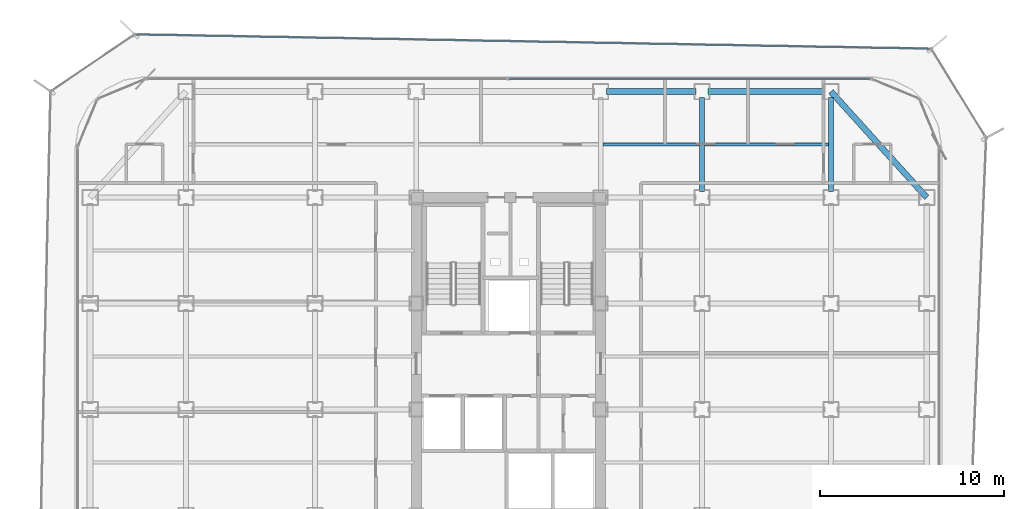
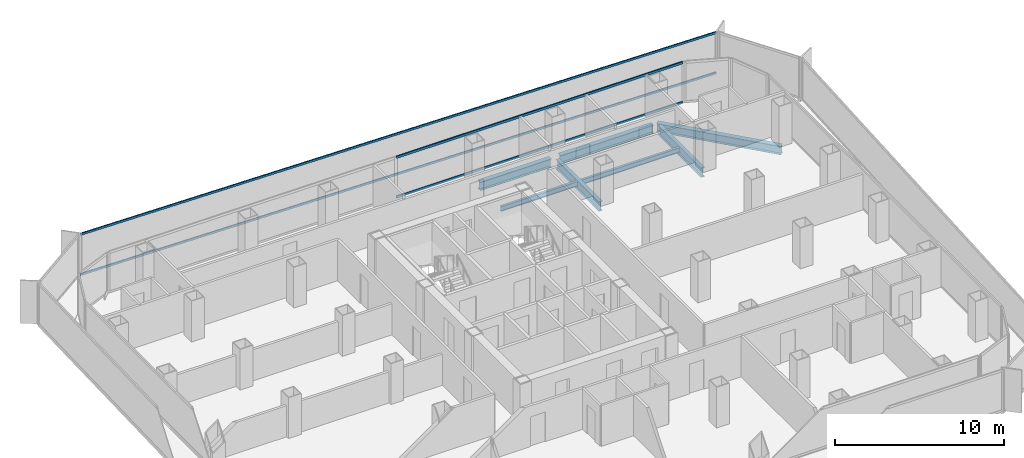
# One storey, part 13 of 21: 7 beams, 4 members, 2 elements without a shape of their own.
"""IFC4 building model written with IfcOpenShell, lengths in metres."""

from ifc_helpers import new_model, si_unit, direction, frame, origin, origin_2d, place, context, subcontext, project, spatial, hollow_rectangle, i_section, extrude, source, transform, mapped, material, layer, layer_set, material_profile, profile_set, type_object, element, aggregate, save


model = new_model("IFC4")

# Units and contexts
model_context = context("Model", 3, precision=1e-05, world=origin(), true_north=direction((0.0, 1.0)))
body_context = subcontext(model_context, "Body", "Model", "MODEL_VIEW")
ifc_project = project(units=[si_unit("LENGTHUNIT", "METRE"), si_unit("AREAUNIT", "SQUARE_METRE"), si_unit("VOLUMEUNIT", "CUBIC_METRE"), si_unit("PLANEANGLEUNIT", "RADIAN"), si_unit("MASSUNIT", "GRAM", prefix="KILO")], contexts=[model_context])

# Site, building, storey
site_placement = place(None, origin())
site = spatial("IfcSite", under=ifc_project, at=site_placement, CompositionType="ELEMENT")
building_placement = place(site_placement, origin())
building = spatial("IfcBuilding", under=site, at=building_placement, Name="Kolveth Station Tower", CompositionType="ELEMENT")
storey_placement = place(building_placement, frame((0.0, 0.0, 105.5)))
storey = spatial("IfcBuildingStorey", under=building, at=storey_placement, Name="L28", CompositionType="ELEMENT", Elevation=105.5)

# Beams
ifc_material_1 = material(Name="Steel S355", Category="steel")
ifc_material_profile_1 = material_profile(ifc_material_1, i_section(OverallWidth=0.323974609375, OverallDepth=0.611083984375, WebThickness=0.0126953125, FlangeThickness=0.01904296875, at=origin_2d()), Name="W610x155")
ifc_profile_set_1 = profile_set([ifc_material_profile_1], Name="Steel S355")
beam_type_1 = type_object("IfcBeamType", Name="Beam_SP2", PredefinedType="SPANDREL", material=ifc_profile_set_1)
shared_shape_1 = source(origin(), body_context, "Body", "SweptSolid", [
    extrude(i_section(OverallWidth=0.323974609375, OverallDepth=0.611083984375, WebThickness=0.0126953125, FlangeThickness=0.01904296875, at=origin_2d()), origin(), (0.0, 0.0, 1.0), 6.35986328125),
])
beam_1_placement = place(storey_placement, frame((34.320068359375, 34.5, -0.555419921875), z_axis=(1.0, 0.0, 0.0), x_axis=(0.0, 1.0, 0.0)))
element("IfcBeam", 1, at=beam_1_placement, inside=storey, type_object=beam_type_1, Name="L28 Perimeter Spandrel BM-L28-PN-5", PredefinedType="SPANDREL", context=body_context, shape_type="MappedRepresentation", body=[
    mapped(shared_shape_1, transform((0.0, 0.0, 0.0), x_axis=(1.0, 0.0, 0.0), y_axis=(0.0, 1.0, 0.0), z_axis=(0.0, 0.0, 1.0), scale=1.0)),
])
shared_shape_2 = source(origin(), body_context, "Body", "SweptSolid", [
    extrude(i_section(OverallWidth=0.323974609375, OverallDepth=0.611083984375, WebThickness=0.0126953125, FlangeThickness=0.01904296875, at=origin_2d()), origin(), (0.0, 0.0, 1.0), 4.85986328125),
])
beam_2_placement = place(storey_placement, frame((28.820068359375, 34.5, -0.555419921875), z_axis=(1.0, 0.0, 0.0), x_axis=(0.0, 1.0, 0.0)))
element("IfcBeam", 2, at=beam_2_placement, inside=storey, type_object=beam_type_1, Name="L28 Perimeter Spandrel BM-L28-PN-4", PredefinedType="SPANDREL", context=body_context, shape_type="MappedRepresentation", body=[
    mapped(shared_shape_2, transform((0.0, 0.0, 0.0), x_axis=(1.0, 0.0, 0.0), y_axis=(0.0, 1.0, 0.0), z_axis=(0.0, 0.0, 1.0), scale=1.0)),
])
shared_shape_3 = source(origin(), body_context, "Body", "SweptSolid", [
    extrude(i_section(OverallWidth=0.323974609375, OverallDepth=0.611083984375, WebThickness=0.0126953125, FlangeThickness=0.01904296875, at=origin_2d()), origin(), (0.0, 0.0, 1.0), 7.75244140625),
])
beam_3_placement = place(storey_placement, frame((46.199951171875, 28.75, -0.555419921875), z_axis=(-0.670740965555, 0.74169168603, 0.0), x_axis=(-0.74169168603, -0.670740965555, 0.0)))
element("IfcBeam", 3, at=beam_3_placement, inside=storey, type_object=beam_type_1, Name="L28 Corner Edge Girder BM-L28-CNR-NE", PredefinedType="SPANDREL", context=body_context, shape_type="MappedRepresentation", body=[
    mapped(shared_shape_3, transform((0.0, 0.0, 0.0), x_axis=(1.0, 0.0, 0.0), y_axis=(0.0, 1.0, 0.0), z_axis=(0.0, 0.0, 1.0), scale=1.0)),
])
ifc_material_profile_2 = material_profile(ifc_material_1, i_section(OverallWidth=0.25390625, OverallDepth=0.68798828125, WebThickness=0.01318359375, FlangeThickness=0.02099609375, at=origin_2d()), Name="W690x152")
ifc_profile_set_2 = profile_set([ifc_material_profile_2], Name="Steel S355")
beam_type_2 = type_object("IfcBeamType", Name="Beam_B4", PredefinedType="BEAM", material=ifc_profile_set_2)
shared_shape_4 = source(origin(), body_context, "Body", "SweptSolid", [
    extrude(i_section(OverallWidth=0.25390625, OverallDepth=0.68798828125, WebThickness=0.01318359375, FlangeThickness=0.02099609375, at=origin_2d()), origin(), (0.0, 0.0, 1.0), 5.10986328125),
])
for number, where, z_axis, x_axis, name in (
    (4, (34.0, 29.070068359375, -0.593994140625), (0.0, 1.0, 0.0), (-1.0, 0.0, 0.0), "L28 Primary Girder BM-L28-GX340-6"),
    (5, (41.0, 29.070068359375, -0.593994140625), (0.0, 1.0, 0.0), (-1.0, 0.0, 0.0), "L28 Primary Girder BM-L28-GX410-6"),
):
    element("IfcBeam", number, at=place(storey_placement, frame(where, z_axis=z_axis, x_axis=x_axis)), inside=storey, type_object=beam_type_2, Name=name, PredefinedType="BEAM", context=body_context, shape_type="MappedRepresentation", body=[
        mapped(shared_shape_4, transform((0.0, 0.0, 0.0), x_axis=(1.0, 0.0, 0.0), y_axis=(0.0, 1.0, 0.0), z_axis=(0.0, 0.0, 1.0), scale=1.0)),
    ])
ifc_material_profile_3 = material_profile(ifc_material_1, i_section(OverallWidth=0.1708984375, OverallDepth=0.35205078125, WebThickness=0.0068359375, FlangeThickness=0.009765625, at=origin_2d()), Name="W360x44")
ifc_profile_set_3 = profile_set([ifc_material_profile_3], Name="Steel S355")
beam_type_3 = type_object("IfcBeamType", Name="Beam_J2", PredefinedType="JOIST", material=ifc_profile_set_3)
shared_shape_5 = source(origin(), body_context, "Body", "SweptSolid", [
    extrude(i_section(OverallWidth=0.1708984375, OverallDepth=0.35205078125, WebThickness=0.0068359375, FlangeThickness=0.009765625, at=origin_2d()), origin(), (0.0, 0.0, 1.0), 6.75),
])
beam_4_placement = place(storey_placement, frame((34.125, 31.625, -0.426025390625), z_axis=(1.0, 0.0, 0.0), x_axis=(0.0, 1.0, 0.0)))
element("IfcBeam", 6, at=beam_4_placement, inside=storey, type_object=beam_type_3, Name="L28 Secondary Joist JST-L28-6-6", PredefinedType="JOIST", context=body_context, shape_type="MappedRepresentation", body=[
    mapped(shared_shape_5, transform((0.0, 0.0, 0.0), x_axis=(1.0, 0.0, 0.0), y_axis=(0.0, 1.0, 0.0), z_axis=(0.0, 0.0, 1.0), scale=1.0)),
])
shared_shape_6 = source(origin(), body_context, "Body", "SweptSolid", [
    extrude(i_section(OverallWidth=0.1708984375, OverallDepth=0.35205078125, WebThickness=0.0068359375, FlangeThickness=0.009765625, at=origin_2d()), origin(), (0.0, 0.0, 1.0), 5.25),
])
beam_5_placement = place(storey_placement, frame((28.625, 31.625, -0.426025390625), z_axis=(1.0, 0.0, 0.0), x_axis=(0.0, 1.0, 0.0)))
element("IfcBeam", 7, at=beam_5_placement, inside=storey, type_object=beam_type_3, Name="L28 Secondary Joist JST-L28-5-6", PredefinedType="JOIST", context=body_context, shape_type="MappedRepresentation", body=[
    mapped(shared_shape_6, transform((0.0, 0.0, 0.0), x_axis=(1.0, 0.0, 0.0), y_axis=(0.0, 1.0, 0.0), z_axis=(0.0, 0.0, 1.0), scale=1.0)),
])

# Curtain wall, members
ifc_material_2 = material(Name="Aluminium 6063-T6 and low-E dark glass", Category="aluminium")
ifc_layer_1 = layer(ifc_material_2, 0.18994140625)
ifc_layer_set_1 = layer_set([ifc_layer_1], Name="Aluminium 6063-T6 and low-E dark glass")
curtain_wall_type_1 = type_object("IfcCurtainWallType", Name="CurtainWall_CW-Z2", PredefinedType="NOTDEFINED", material=ifc_layer_set_1)
curtain_wall_1_placement = place(storey_placement, origin())
curtain_wall_1 = element("IfcCurtainWall", 8, at=curtain_wall_1_placement, inside=storey, type_object=curtain_wall_type_1, Name="L28 Inner Thermal Curtain Wall 6", PredefinedType="NOTDEFINED")
ifc_material_3 = material(Name="Black anodized aluminium 6063-T6", Category="aluminium")
ifc_material_profile_4 = material_profile(ifc_material_3, hollow_rectangle(XDim=0.080078125, YDim=0.169921875, WallThickness=0.0048828125, at=origin_2d()), Name="ALU-80x170x5")
ifc_profile_set_4 = profile_set([ifc_material_profile_4], Name="Black anodized aluminium 6063-T6")
member_type_1 = type_object("IfcMemberType", Name="Transom_TR2", PredefinedType="USERDEFINED", material=ifc_profile_set_4)
shared_shape_7 = source(origin(), body_context, "Body", "SweptSolid", [
    extrude(hollow_rectangle(XDim=0.080078125, YDim=0.169921875, WallThickness=0.0048828125, at=origin_2d()), origin(), (0.0, 0.0, 1.0), 19.580078125),
])
member_1_placement = place(storey_placement, frame((43.1201171875, 35.179931640625, 0.0400390625), z_axis=(-1.0, 0.0, 0.0), x_axis=(0.0, -1.0, 0.0)))
member_1 = element("IfcMember", 9, at=member_1_placement, type_object=member_type_1, Name="CW-Z2 transom 1.1", ObjectType="TRANSOM", PredefinedType="USERDEFINED", context=body_context, shape_type="MappedRepresentation", body=[
    mapped(shared_shape_7, transform((0.0, 0.0, 0.0), x_axis=(1.0, 0.0, 0.0), y_axis=(0.0, 1.0, 0.0), z_axis=(0.0, 0.0, 1.0), scale=1.0)),
])
member_2_placement = place(storey_placement, frame((43.1201171875, 35.179931640625, 2.909912109375), z_axis=(-1.0, 0.0, 0.0), x_axis=(0.0, -1.0, 0.0)))
member_2 = element("IfcMember", 10, at=member_2_placement, type_object=member_type_1, Name="CW-Z2 transom 1.2", ObjectType="TRANSOM", PredefinedType="USERDEFINED", context=body_context, shape_type="MappedRepresentation", body=[
    mapped(shared_shape_7, transform((0.0, 0.0, 0.0), x_axis=(1.0, 0.0, 0.0), y_axis=(0.0, 1.0, 0.0), z_axis=(0.0, 0.0, 1.0), scale=1.0)),
])
aggregate(curtain_wall_1, [member_1, member_2])

ifc_material_4 = material(Name="Black anodized aluminium 6063-T6 and dark solar glass", Category="aluminium")
ifc_layer_2 = layer(ifc_material_4, 0.159912109375)
ifc_layer_set_2 = layer_set([ifc_layer_2], Name="Black anodized aluminium 6063-T6 and dark solar glass")
curtain_wall_type_2 = type_object("IfcCurtainWallType", Name="OUTER SKIN CW-OS", PredefinedType="NOTDEFINED", material=ifc_layer_set_2)
curtain_wall_2_placement = place(storey_placement, origin())
curtain_wall_2 = element("IfcCurtainWall", 11, at=curtain_wall_2_placement, inside=storey, type_object=curtain_wall_type_2, Name="L28 Outer Ventilated Skin Curtain Wall 4", PredefinedType="NOTDEFINED")
ifc_material_profile_5 = material_profile(ifc_material_3, hollow_rectangle(XDim=0.080078125, YDim=0.14990234375, WallThickness=0.0048828125, at=origin_2d()), Name="ALU-80x150x5")
ifc_profile_set_5 = profile_set([ifc_material_profile_5], Name="Black anodized aluminium 6063-T6")
member_type_2 = type_object("IfcMemberType", Name="Transom_TR-OS", PredefinedType="USERDEFINED", material=ifc_profile_set_5)
shared_shape_8 = source(origin(), body_context, "Body", "SweptSolid", [
    extrude(hollow_rectangle(XDim=0.080078125, YDim=0.14990234375, WallThickness=0.0048828125, at=origin_2d()), origin(), (0.0, 0.0, 1.0), 43.0595703125),
])
member_3_placement = place(storey_placement, frame((46.360595703125, 36.822021484375, 0.0400390625), z_axis=(-0.99983815911, 0.017990430461, 0.0), x_axis=(-0.017990430461, -0.99983815911, 0.0)))
member_3 = element("IfcMember", 12, at=member_3_placement, type_object=member_type_2, Name="CW-OS transom 1.1", ObjectType="TRANSOM", PredefinedType="USERDEFINED", context=body_context, shape_type="MappedRepresentation", body=[
    mapped(shared_shape_8, transform((0.0, 0.0, 0.0), x_axis=(1.0, 0.0, 0.0), y_axis=(0.0, 1.0, 0.0), z_axis=(0.0, 0.0, 1.0), scale=1.0)),
])
member_4_placement = place(storey_placement, frame((46.360595703125, 36.822021484375, 2.949951171875), z_axis=(-0.99983815911, 0.017990430461, 0.0), x_axis=(-0.017990430461, -0.99983815911, 0.0)))
member_4 = element("IfcMember", 13, at=member_4_placement, type_object=member_type_2, Name="CW-OS transom 1.2", ObjectType="TRANSOM", PredefinedType="USERDEFINED", context=body_context, shape_type="MappedRepresentation", body=[
    mapped(shared_shape_8, transform((0.0, 0.0, 0.0), x_axis=(1.0, 0.0, 0.0), y_axis=(0.0, 1.0, 0.0), z_axis=(0.0, 0.0, 1.0), scale=1.0)),
])
aggregate(curtain_wall_2, [member_3, member_4])

save(model, "model.ifc")
